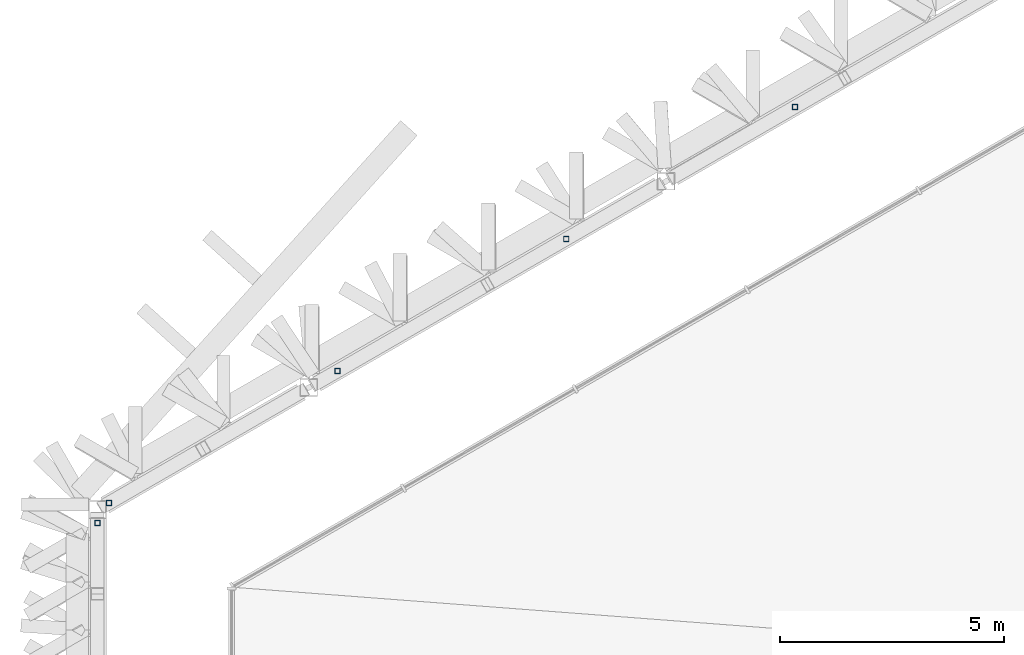
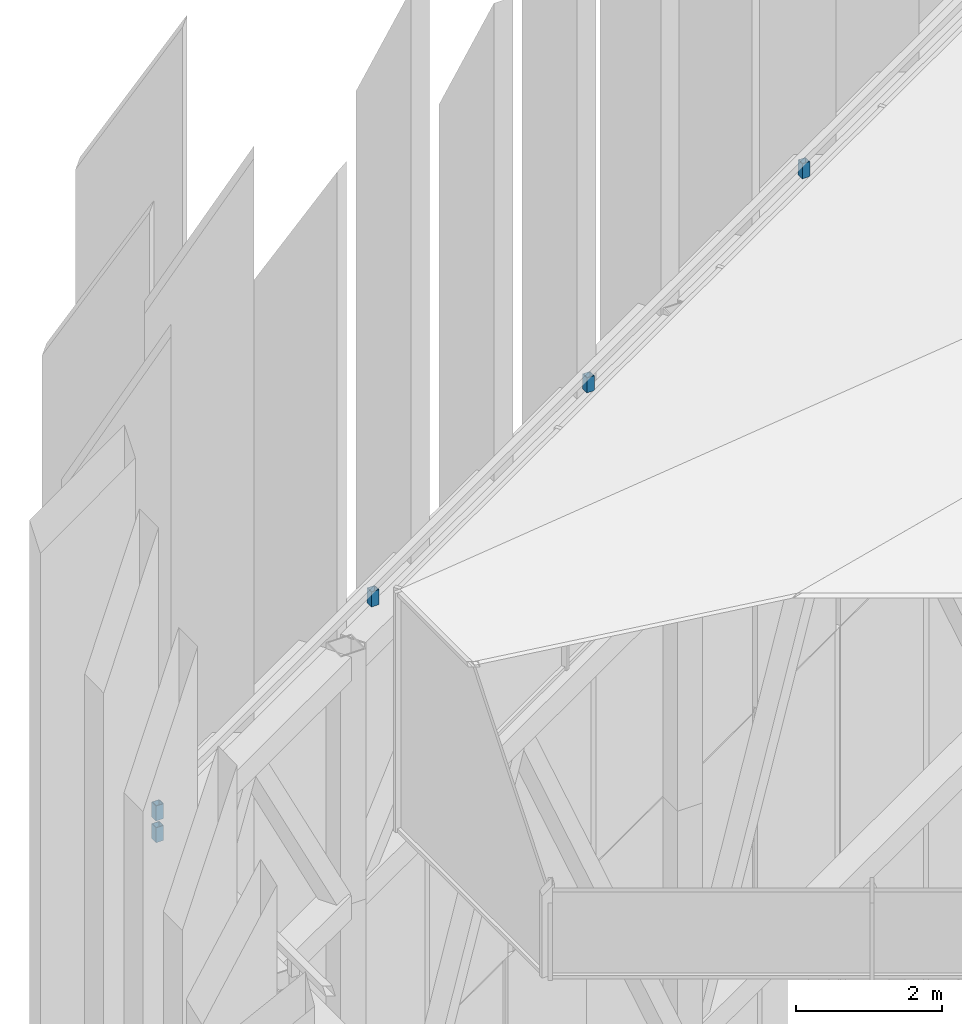
# One storey, part 22 of 45: 5 members.
"""IFC4 building model written with IfcOpenShell, lengths in metres."""

from ifc_helpers import new_model, si_unit, direction, frame, origin, origin_2d, place, context, subcontext, project, spatial, hollow_rectangle, extrude, material, material_profile, profile_set, type_object, element, save


model = new_model("IFC4")

# Units and contexts
model_context = context("Model", 3, precision=1e-05, world=origin(), true_north=direction((0.0, 1.0)))
body_context = subcontext(model_context, "Body", "Model", "MODEL_VIEW")
ifc_project = project(units=[si_unit("LENGTHUNIT", "METRE"), si_unit("AREAUNIT", "SQUARE_METRE"), si_unit("VOLUMEUNIT", "CUBIC_METRE"), si_unit("PLANEANGLEUNIT", "RADIAN"), si_unit("MASSUNIT", "GRAM", prefix="KILO")], contexts=[model_context])

# Site, building, storey
site_placement = place(None, origin())
site = spatial("IfcSite", under=ifc_project, at=site_placement, CompositionType="ELEMENT")
building_placement = place(site_placement, origin())
building = spatial("IfcBuilding", under=site, at=building_placement, Name="Jabali Bay Hotel Tower and Convention Centre", CompositionType="ELEMENT")
storey_placement = place(building_placement, frame((0.0, 0.0, 322.39990234375)))
storey = spatial("IfcBuildingStorey", under=building, at=storey_placement, Name="Crown", CompositionType="ELEMENT", Elevation=322.39990234375)

# Members
ifc_material = material(Name="Steel Q355B", Category="steel")
ifc_material_profile = material_profile(ifc_material, hollow_rectangle(XDim=0.1201171875, YDim=0.1201171875, WallThickness=0.008056640625, at=origin_2d()), Name="BMU rail post")
ifc_profile_set = profile_set([ifc_material_profile], Name="Steel Q355B")
member_type = type_object("IfcMemberType", Name="BMU rail post", PredefinedType="USERDEFINED", material=ifc_profile_set)
for number, where, z_axis, x_axis, name in (
    (1, (60.815673828125, 92.76708984375, 28.35009765625), (0.0, 0.0, 1.0), (1.0, 0.0, 0.0), "BMU rail post 3.6"),
    (2, (55.70556640625, 89.81689453125, 28.35009765625), (0.0, 0.0, 1.0), (1.0, 0.0, 0.0), "BMU rail post 3.7"),
    (3, (50.595703125, 86.866455078125, 28.35009765625), (0.0, 0.0, 1.0), (1.0, 0.0, 0.0), "BMU rail post 3.8"),
    (4, (45.485595703125, 83.916259765625, 28.35009765625), (0.0, 0.0, 1.0), (1.0, 0.0, 0.0), "BMU rail post 3.9"),
    (5, (45.225830078125, 83.46630859375, 28.35009765625), (0.0, 0.0, 1.0), (1.0, 0.0, 0.0), "BMU rail post 4.1"),
):
    element("IfcMember", number, at=place(storey_placement, frame(where, z_axis=z_axis, x_axis=x_axis)), inside=storey, type_object=member_type, Name=name, ObjectType="BMU RAIL", PredefinedType="USERDEFINED", context=body_context, shape_type="SweptSolid", body=[
        extrude(hollow_rectangle(XDim=0.1201171875, YDim=0.1201171875, WallThickness=0.008056640625, at=origin_2d()), origin(), (0.0, 0.0, 1.0), 0.25),
    ])

save(model, "model.ifc")
